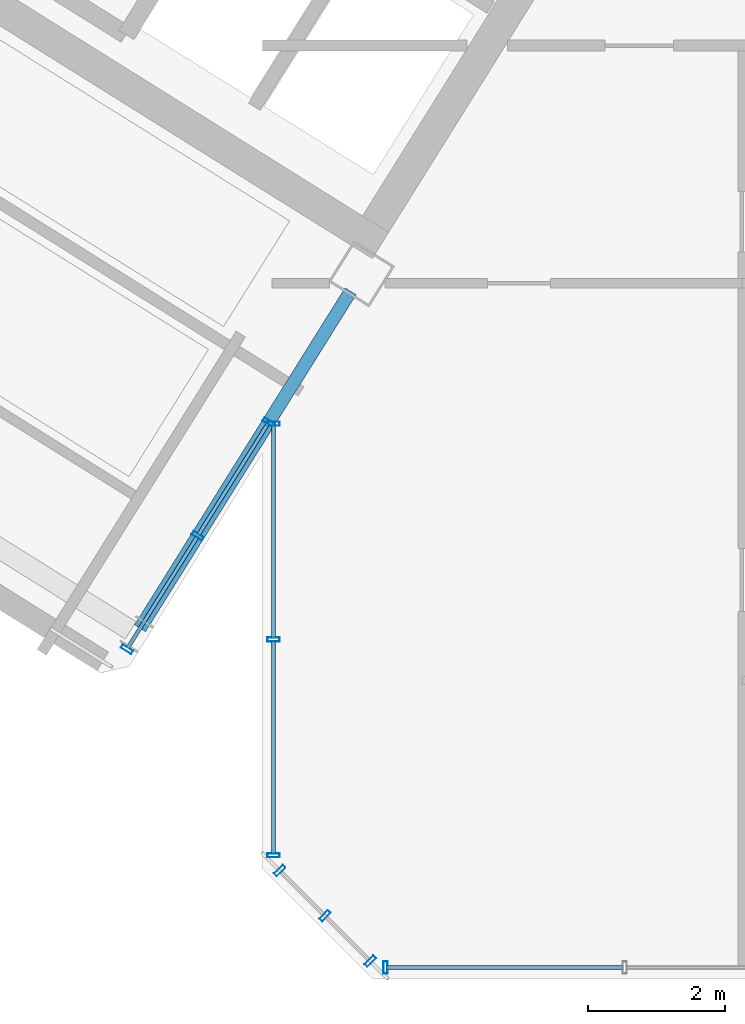
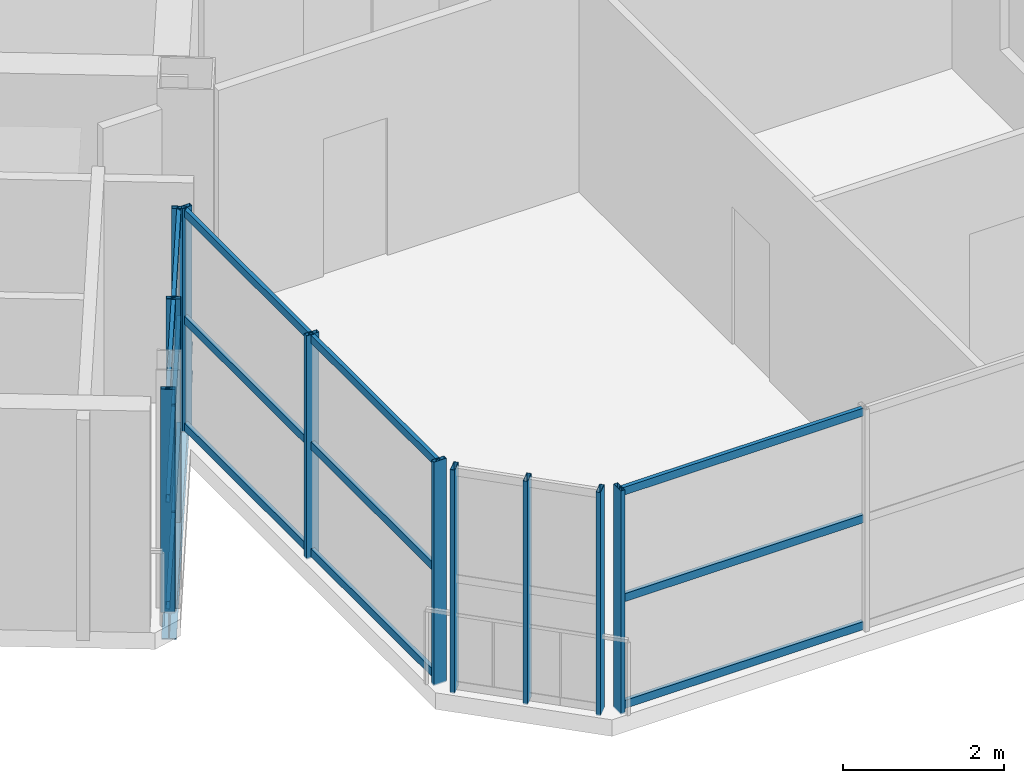
# One storey, part 2 of 12: 25 members, 1 beam, 4 elements without a shape of their own.
"""IFC4 building model written with IfcOpenShell, lengths in metres."""

from ifc_helpers import new_model, si_unit, direction, frame, origin, origin_2d, place, context, subcontext, project, spatial, hollow_rectangle, i_section, extrude, source, transform, mapped, material, material_profile, profile_set, type_object, element, aggregate, save


model = new_model("IFC4")

# Units and contexts
model_context = context("Model", 3, precision=1e-05, world=origin(), true_north=direction((0.0, 1.0)))
body_context = subcontext(model_context, "Body", "Model", "MODEL_VIEW")
ifc_project = project(units=[si_unit("LENGTHUNIT", "METRE"), si_unit("AREAUNIT", "SQUARE_METRE"), si_unit("VOLUMEUNIT", "CUBIC_METRE"), si_unit("PLANEANGLEUNIT", "RADIAN"), si_unit("MASSUNIT", "GRAM", prefix="KILO")], contexts=[model_context])

# Site, building, storey
site_placement = place(None, origin())
site = spatial("IfcSite", under=ifc_project, at=site_placement, CompositionType="ELEMENT")
building_placement = place(site_placement, origin())
building = spatial("IfcBuilding", under=site, at=building_placement, Name="Tlacorven Tower", CompositionType="ELEMENT")
storey_placement = place(building_placement, frame((0.0, 0.0, 280.800048828125)))
storey = spatial("IfcBuildingStorey", under=building, at=storey_placement, Name="L71", CompositionType="ELEMENT", Elevation=280.800048828125)

# Beam
ifc_material_1 = material(Name="Steel S355J2", Category="steel")
ifc_material_profile_1 = material_profile(ifc_material_1, i_section(OverallWidth=0.18994140625, OverallDepth=0.449951171875, WebThickness=0.009521484375, FlangeThickness=0.0146484375, at=origin_2d()), Name="IPE 450")
ifc_profile_set_1 = profile_set([ifc_material_profile_1], Name="Steel S355J2")
beam_type = type_object("IfcBeamType", Name="BM-TWR-450", PredefinedType="BEAM", material=ifc_profile_set_1)
shared_shape_1 = source(origin(), body_context, "Body", "SweptSolid", [
    extrude(i_section(OverallWidth=0.18994140625, OverallDepth=0.449951171875, WebThickness=0.009521484375, FlangeThickness=0.0146484375, at=origin_2d()), origin(), (0.0, 0.0, 1.0), 5.800048828125),
])
beam_placement = place(storey_placement, frame((32.88720703125, 11.83251953125, -0.47509765625), z_axis=(-0.529911912967, -0.848052689693, 0.0), x_axis=(0.848052689693, -0.529911912967, 0.0)))
element("IfcBeam", 1, at=beam_placement, inside=storey, type_object=beam_type, Name="L71 beam BM-L71-WT1-2", PredefinedType="BEAM", context=body_context, shape_type="MappedRepresentation", body=[
    mapped(shared_shape_1, transform((0.0, 0.0, 0.0), scale=1.0)),
])

# Curtain wall, member
ifc_material_2 = material(Name="Dark solar low-E double glazing in aluminium frame", Category="aluminium")
curtain_wall_type = type_object("IfcCurtainWallType", Name="CW-TWR-HIGH", PredefinedType="USERDEFINED", material=ifc_material_2)
curtain_wall_1_placement = place(storey_placement, origin())
curtain_wall_1 = element("IfcCurtainWall", 2, at=curtain_wall_1_placement, inside=storey, type_object=curtain_wall_type, Name="L71 CW-TWR-HIGH Curtain Wall 329", ObjectType="UNITISED CURTAIN WALL", PredefinedType="USERDEFINED")
ifc_material_3 = material(Name="Aluminium 6063-T6 anodised", Category="aluminium")
ifc_material_profile_2 = material_profile(ifc_material_3, hollow_rectangle(XDim=0.06005859375, YDim=0.179931640625, WallThickness=0.00390625, at=origin_2d()), Name="ALU MULLION 60X180")
ifc_profile_set_2 = profile_set([ifc_material_profile_2], Name="Aluminium 6063-T6 anodised")
member_type_1 = type_object("IfcMemberType", Name="CWM-03", PredefinedType="MULLION", material=ifc_profile_set_2)
shared_shape_2 = source(origin(), body_context, "Body", "SweptSolid", [
    extrude(hollow_rectangle(XDim=0.06005859375, YDim=0.179931640625, WallThickness=0.00390625, at=origin_2d()), origin(), (0.0, 0.0, 1.0), 3.3798828125),
])
member_1_placement = place(storey_placement, frame((33.396240234375, 1.9599609375, -0.02001953125), z_axis=(0.0, 0.0, 1.0), x_axis=(-1.0, 0.0, 0.0)))
member_1 = element("IfcMember", 3, at=member_1_placement, type_object=member_type_1, Name="CW-L71-329 Mullion 4", PredefinedType="MULLION", context=body_context, shape_type="MappedRepresentation", body=[
    mapped(shared_shape_2, transform((0.0, 0.0, 0.0), scale=1.0)),
])

# Curtain wall, members
curtain_wall_2_placement = place(storey_placement, origin())
curtain_wall_2 = element("IfcCurtainWall", 4, at=curtain_wall_2_placement, inside=storey, type_object=curtain_wall_type, Name="L71 CW-TWR-HIGH Curtain Wall 330", ObjectType="UNITISED CURTAIN WALL", PredefinedType="USERDEFINED")
member_2_placement = place(storey_placement, frame((33.17431640625, 2.052001953125, -0.02001953125), z_axis=(0.0, 0.0, 1.0), x_axis=(-0.707106781187, 0.707106781187, 0.0)))
member_2 = element("IfcMember", 5, at=member_2_placement, type_object=member_type_1, Name="CW-L71-330 Mullion 1", PredefinedType="MULLION", context=body_context, shape_type="MappedRepresentation", body=[
    mapped(shared_shape_2, transform((0.0, 0.0, 0.0), scale=1.0)),
])
member_3_placement = place(storey_placement, frame((32.51318359375, 2.713134765625, -0.02001953125), z_axis=(0.0, 0.0, 1.0), x_axis=(-0.707106781187, 0.707106781187, 0.0)))
member_3 = element("IfcMember", 6, at=member_3_placement, type_object=member_type_1, Name="CW-L71-330 Mullion 2", PredefinedType="MULLION", context=body_context, shape_type="MappedRepresentation", body=[
    mapped(shared_shape_2, transform((0.0, 0.0, 0.0), scale=1.0)),
])
member_4_placement = place(storey_placement, frame((31.851806640625, 3.374267578125, -0.02001953125), z_axis=(0.0, 0.0, 1.0), x_axis=(-0.707106781187, 0.707106781187, 0.0)))
member_4 = element("IfcMember", 7, at=member_4_placement, type_object=member_type_1, Name="CW-L71-330 Mullion 3", PredefinedType="MULLION", context=body_context, shape_type="MappedRepresentation", body=[
    mapped(shared_shape_2, transform((0.0, 0.0, 0.0), scale=1.0)),
])
aggregate(curtain_wall_2, [member_2, member_3, member_4])

curtain_wall_3_placement = place(storey_placement, origin())
curtain_wall_3 = element("IfcCurtainWall", 8, at=curtain_wall_3_placement, inside=storey, type_object=curtain_wall_type, Name="L71 CW-TWR-HIGH Curtain Wall 331", ObjectType="UNITISED CURTAIN WALL", PredefinedType="USERDEFINED")
member_5_placement = place(storey_placement, frame((31.760009765625, 3.59619140625, -0.02001953125), z_axis=(0.0, 0.0, 1.0), x_axis=(0.0, 1.0, 0.0)))
member_5 = element("IfcMember", 9, at=member_5_placement, type_object=member_type_1, Name="CW-L71-331 Mullion 1", PredefinedType="MULLION", context=body_context, shape_type="MappedRepresentation", body=[
    mapped(shared_shape_2, transform((0.0, 0.0, 0.0), scale=1.0)),
])
member_6_placement = place(storey_placement, frame((31.760009765625, 6.74755859375, -0.02001953125), z_axis=(0.0, 0.0, 1.0), x_axis=(0.0, 1.0, 0.0)))
member_6 = element("IfcMember", 10, at=member_6_placement, type_object=member_type_1, Name="CW-L71-331 Mullion 2", PredefinedType="MULLION", context=body_context, shape_type="MappedRepresentation", body=[
    mapped(shared_shape_2, transform((0.0, 0.0, 0.0), scale=1.0)),
])
member_7_placement = place(storey_placement, frame((31.760009765625, 9.898681640625, -0.02001953125), z_axis=(0.0, 0.0, 1.0), x_axis=(0.0, 1.0, 0.0)))
member_7 = element("IfcMember", 11, at=member_7_placement, type_object=member_type_1, Name="CW-L71-331 Mullion 3", PredefinedType="MULLION", context=body_context, shape_type="MappedRepresentation", body=[
    mapped(shared_shape_2, transform((0.0, 0.0, 0.0), scale=1.0)),
])

curtain_wall_4_placement = place(storey_placement, origin())
curtain_wall_4 = element("IfcCurtainWall", 12, at=curtain_wall_4_placement, inside=storey, type_object=curtain_wall_type, Name="L71 CW-TWR-HIGH Curtain Wall 332", ObjectType="UNITISED CURTAIN WALL", PredefinedType="USERDEFINED")
member_8_placement = place(storey_placement, frame((31.691162109375, 9.91845703125, -0.02001953125), z_axis=(0.0, 0.0, 1.0), x_axis=(-0.529918710919, -0.848048441905, 0.0)))
member_8 = element("IfcMember", 13, at=member_8_placement, type_object=member_type_1, Name="CW-L71-332 Mullion 1", PredefinedType="MULLION", context=body_context, shape_type="MappedRepresentation", body=[
    mapped(shared_shape_2, transform((0.0, 0.0, 0.0), scale=1.0)),
])
member_9_placement = place(storey_placement, frame((30.656005859375, 8.261962890625, -0.02001953125), z_axis=(0.0, 0.0, 1.0), x_axis=(-0.529918710919, -0.848048441905, 0.0)))
member_9 = element("IfcMember", 14, at=member_9_placement, type_object=member_type_1, Name="CW-L71-332 Mullion 2", PredefinedType="MULLION", context=body_context, shape_type="MappedRepresentation", body=[
    mapped(shared_shape_2, transform((0.0, 0.0, 0.0), scale=1.0)),
])
member_10_placement = place(storey_placement, frame((29.620849609375, 6.605224609375, -0.02001953125), z_axis=(0.0, 0.0, 1.0), x_axis=(-0.529918710919, -0.848048441905, 0.0)))
member_10 = element("IfcMember", 15, at=member_10_placement, type_object=member_type_1, Name="CW-L71-332 Mullion 3", PredefinedType="MULLION", context=body_context, shape_type="MappedRepresentation", body=[
    mapped(shared_shape_2, transform((0.0, 0.0, 0.0), scale=1.0)),
])

# Member
ifc_material_profile_3 = material_profile(ifc_material_3, hollow_rectangle(XDim=0.054931640625, YDim=0.1201171875, WallThickness=0.00341796875, at=origin_2d()), Name="ALU TRANSOM 55X120")
ifc_profile_set_3 = profile_set([ifc_material_profile_3], Name="Aluminium 6063-T6 anodised")
member_type_2 = type_object("IfcMemberType", Name="CWT-03", PredefinedType="USERDEFINED", material=ifc_profile_set_3)
shared_shape_3 = source(origin(), body_context, "Body", "SweptSolid", [
    extrude(hollow_rectangle(XDim=0.054931640625, YDim=0.1201171875, WallThickness=0.00341796875, at=origin_2d()), origin(), (0.0, 0.0, 1.0), 3.115234375),
])
member_11_placement = place(storey_placement, frame((31.760009765625, 3.6142578125, 0.06005859375), z_axis=(0.0, 1.0, 0.0), x_axis=(-1.0, 0.0, 0.0)))
member_11 = element("IfcMember", 16, at=member_11_placement, type_object=member_type_2, Name="CW-L71-331 Transom 1", ObjectType="TRANSOM", PredefinedType="USERDEFINED", context=body_context, shape_type="MappedRepresentation", body=[
    mapped(shared_shape_3, transform((0.0, 0.0, 0.0), scale=1.0)),
])

member_12_placement = place(storey_placement, frame((31.760009765625, 3.6142578125, 1.675048828125), z_axis=(0.0, 1.0, 0.0), x_axis=(-1.0, 0.0, 0.0)))
member_12 = element("IfcMember", 17, at=member_12_placement, type_object=member_type_2, Name="CW-L71-331 Transom 2", ObjectType="TRANSOM", PredefinedType="USERDEFINED", context=body_context, shape_type="MappedRepresentation", body=[
    mapped(shared_shape_3, transform((0.0, 0.0, 0.0), scale=1.0)),
])

member_13_placement = place(storey_placement, frame((31.760009765625, 3.6142578125, 3.2900390625), z_axis=(0.0, 1.0, 0.0), x_axis=(-1.0, 0.0, 0.0)))
member_13 = element("IfcMember", 18, at=member_13_placement, type_object=member_type_2, Name="CW-L71-331 Transom 3", ObjectType="TRANSOM", PredefinedType="USERDEFINED", context=body_context, shape_type="MappedRepresentation", body=[
    mapped(shared_shape_3, transform((0.0, 0.0, 0.0), scale=1.0)),
])

member_14_placement = place(storey_placement, frame((31.760009765625, 6.765380859375, 0.06005859375), z_axis=(0.0, 1.0, 0.0), x_axis=(-1.0, 0.0, 0.0)))
member_14 = element("IfcMember", 19, at=member_14_placement, type_object=member_type_2, Name="CW-L71-331 Transom 4", ObjectType="TRANSOM", PredefinedType="USERDEFINED", context=body_context, shape_type="MappedRepresentation", body=[
    mapped(shared_shape_3, transform((0.0, 0.0, 0.0), scale=1.0)),
])

member_15_placement = place(storey_placement, frame((31.760009765625, 6.765380859375, 1.675048828125), z_axis=(0.0, 1.0, 0.0), x_axis=(-1.0, 0.0, 0.0)))
member_15 = element("IfcMember", 20, at=member_15_placement, type_object=member_type_2, Name="CW-L71-331 Transom 5", ObjectType="TRANSOM", PredefinedType="USERDEFINED", context=body_context, shape_type="MappedRepresentation", body=[
    mapped(shared_shape_3, transform((0.0, 0.0, 0.0), scale=1.0)),
])

member_16_placement = place(storey_placement, frame((31.760009765625, 6.765380859375, 3.2900390625), z_axis=(0.0, 1.0, 0.0), x_axis=(-1.0, 0.0, 0.0)))
member_16 = element("IfcMember", 21, at=member_16_placement, type_object=member_type_2, Name="CW-L71-331 Transom 6", ObjectType="TRANSOM", PredefinedType="USERDEFINED", context=body_context, shape_type="MappedRepresentation", body=[
    mapped(shared_shape_3, transform((0.0, 0.0, 0.0), scale=1.0)),
])

aggregate(curtain_wall_3, [member_5, member_6, member_7, member_11, member_12, member_13, member_14, member_15, member_16])

shared_shape_4 = source(origin(), body_context, "Body", "SweptSolid", [
    extrude(hollow_rectangle(XDim=0.054931640625, YDim=0.1201171875, WallThickness=0.00341796875, at=origin_2d()), origin(), (0.0, 0.0, 1.0), 1.91748046875),
])
member_17_placement = place(storey_placement, frame((31.681640625, 9.903076171875, 0.06005859375), z_axis=(-0.529953157166, -0.84802691656, 0.0), x_axis=(0.84802691656, -0.529953157166, 0.0)))
member_17 = element("IfcMember", 22, at=member_17_placement, type_object=member_type_2, Name="CW-L71-332 Transom 1", ObjectType="TRANSOM", PredefinedType="USERDEFINED", context=body_context, shape_type="MappedRepresentation", body=[
    mapped(shared_shape_4, transform((0.0, 0.0, 0.0), scale=1.0)),
])

member_18_placement = place(storey_placement, frame((31.681640625, 9.903076171875, 1.675048828125), z_axis=(-0.529953157166, -0.84802691656, 0.0), x_axis=(0.84802691656, -0.529953157166, 0.0)))
member_18 = element("IfcMember", 23, at=member_18_placement, type_object=member_type_2, Name="CW-L71-332 Transom 2", ObjectType="TRANSOM", PredefinedType="USERDEFINED", context=body_context, shape_type="MappedRepresentation", body=[
    mapped(shared_shape_4, transform((0.0, 0.0, 0.0), scale=1.0)),
])

member_19_placement = place(storey_placement, frame((31.681640625, 9.903076171875, 3.2900390625), z_axis=(-0.529953157166, -0.84802691656, 0.0), x_axis=(0.84802691656, -0.529953157166, 0.0)))
member_19 = element("IfcMember", 24, at=member_19_placement, type_object=member_type_2, Name="CW-L71-332 Transom 3", ObjectType="TRANSOM", PredefinedType="USERDEFINED", context=body_context, shape_type="MappedRepresentation", body=[
    mapped(shared_shape_4, transform((0.0, 0.0, 0.0), scale=1.0)),
])

member_20_placement = place(storey_placement, frame((30.646484375, 8.24658203125, 0.06005859375), z_axis=(-0.529953157166, -0.84802691656, 0.0), x_axis=(0.84802691656, -0.529953157166, 0.0)))
member_20 = element("IfcMember", 25, at=member_20_placement, type_object=member_type_2, Name="CW-L71-332 Transom 4", ObjectType="TRANSOM", PredefinedType="USERDEFINED", context=body_context, shape_type="MappedRepresentation", body=[
    mapped(shared_shape_4, transform((0.0, 0.0, 0.0), scale=1.0)),
])

member_21_placement = place(storey_placement, frame((30.646484375, 8.24658203125, 1.675048828125), z_axis=(-0.529953157166, -0.84802691656, 0.0), x_axis=(0.84802691656, -0.529953157166, 0.0)))
member_21 = element("IfcMember", 26, at=member_21_placement, type_object=member_type_2, Name="CW-L71-332 Transom 5", ObjectType="TRANSOM", PredefinedType="USERDEFINED", context=body_context, shape_type="MappedRepresentation", body=[
    mapped(shared_shape_4, transform((0.0, 0.0, 0.0), scale=1.0)),
])

member_22_placement = place(storey_placement, frame((30.646484375, 8.24658203125, 3.2900390625), z_axis=(-0.529953157166, -0.84802691656, 0.0), x_axis=(0.84802691656, -0.529953157166, 0.0)))
member_22 = element("IfcMember", 27, at=member_22_placement, type_object=member_type_2, Name="CW-L71-332 Transom 6", ObjectType="TRANSOM", PredefinedType="USERDEFINED", context=body_context, shape_type="MappedRepresentation", body=[
    mapped(shared_shape_4, transform((0.0, 0.0, 0.0), scale=1.0)),
])

aggregate(curtain_wall_4, [member_8, member_9, member_10, member_17, member_18, member_19, member_20, member_21, member_22])

shared_shape_5 = source(origin(), body_context, "Body", "SweptSolid", [
    extrude(hollow_rectangle(XDim=0.054931640625, YDim=0.1201171875, WallThickness=0.00341796875, at=origin_2d()), origin(), (0.0, 0.0, 1.0), 3.45849609375),
])
member_23_placement = place(storey_placement, frame((36.872802734375, 1.9599609375, 0.06005859375), z_axis=(-1.0, 0.0, 0.0), x_axis=(0.0, -1.0, 0.0)))
member_23 = element("IfcMember", 28, at=member_23_placement, type_object=member_type_2, Name="CW-L71-329 Transom 7", ObjectType="TRANSOM", PredefinedType="USERDEFINED", context=body_context, shape_type="MappedRepresentation", body=[
    mapped(shared_shape_5, transform((0.0, 0.0, 0.0), scale=1.0)),
])

member_24_placement = place(storey_placement, frame((36.872802734375, 1.9599609375, 1.675048828125), z_axis=(-1.0, 0.0, 0.0), x_axis=(0.0, -1.0, 0.0)))
member_24 = element("IfcMember", 29, at=member_24_placement, type_object=member_type_2, Name="CW-L71-329 Transom 8", ObjectType="TRANSOM", PredefinedType="USERDEFINED", context=body_context, shape_type="MappedRepresentation", body=[
    mapped(shared_shape_5, transform((0.0, 0.0, 0.0), scale=1.0)),
])

member_25_placement = place(storey_placement, frame((36.872802734375, 1.9599609375, 3.2900390625), z_axis=(-1.0, 0.0, 0.0), x_axis=(0.0, -1.0, 0.0)))
member_25 = element("IfcMember", 30, at=member_25_placement, type_object=member_type_2, Name="CW-L71-329 Transom 9", ObjectType="TRANSOM", PredefinedType="USERDEFINED", context=body_context, shape_type="MappedRepresentation", body=[
    mapped(shared_shape_5, transform((0.0, 0.0, 0.0), scale=1.0)),
])

aggregate(curtain_wall_1, [member_1, member_23, member_24, member_25])

save(model, "model.ifc")
